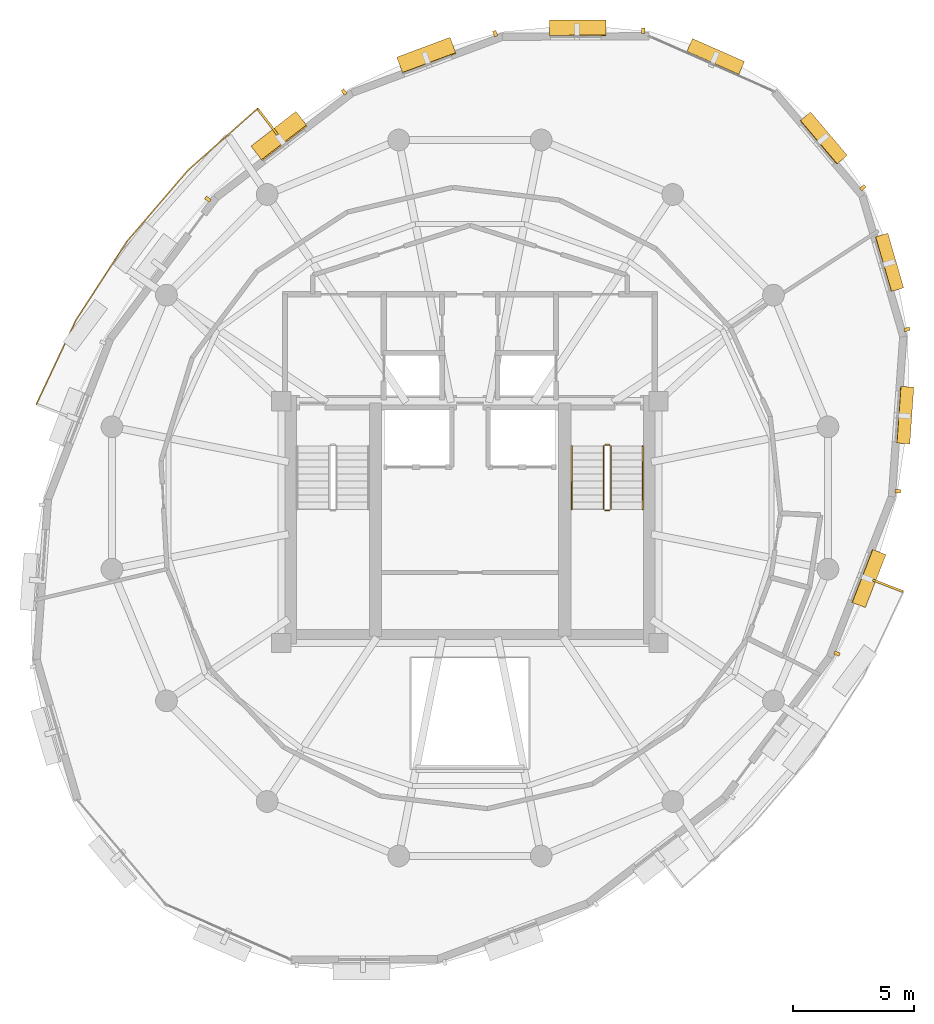
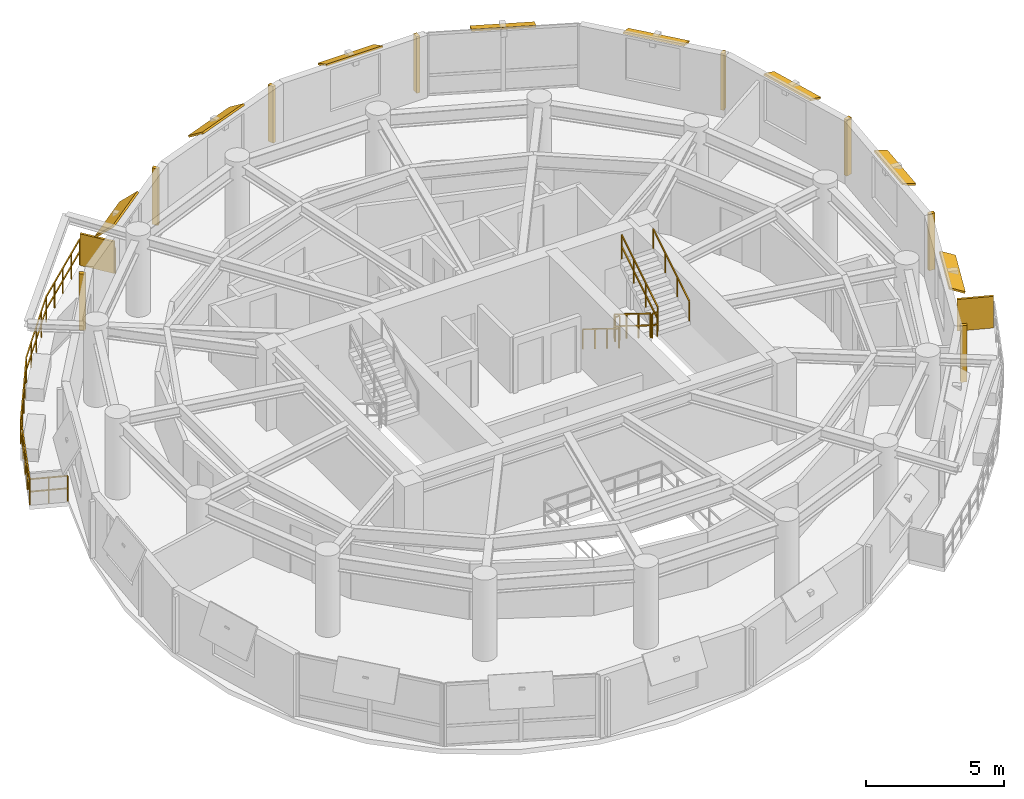
# One storey, part 11 of 11: 18 shading devices, 7 railings.
"""IFC4 building model written with IfcOpenShell, lengths in metres."""

import ifcopenshell
import ifcopenshell.guid

model = None  # the IFC model being written
_history = None  # IfcOwnerHistory: only IFC2X3 demands one
_inside = {}  # id of a spatial element -> (the spatial element, [elements in it])
_under = {}  # id of a project, library or spatial element -> (it, [spatial elements below it])
_declared = {}  # id of a project -> (the project, [libraries it declares])
_typed = {}  # id of a type object -> (the type object, [elements of that type])
_made_of = {}  # id of a material, layer set ... -> (it, [elements and type objects made of it])


def new_model(schema):
    """Start an empty IFC model of exactly this schema.

    Asked for "IFC4X3", IfcOpenShell would pick the latest addendum, in which some entities
    have other attributes; the version numbers below select the first issue.
    IFC2X3 requires an IfcOwnerHistory on every rooted entity: one is made here for all.
    """
    global model, _history
    if schema == "IFC4X3":
        model = ifcopenshell.file(schema_version=(4, 3, 0, 0))
    else:
        model = ifcopenshell.file(schema=schema)
    _inside.clear()
    _under.clear()
    _declared.clear()
    _typed.clear()
    _made_of.clear()
    _history = None
    if model.schema == "IFC2X3":
        org = make("IfcOrganization", Name="unknown")
        user = make(
            "IfcPersonAndOrganization",
            ThePerson=make("IfcPerson", FamilyName="unknown"),
            TheOrganization=org,
        )
        app = make(
            "IfcApplication",
            ApplicationDeveloper=org,
            Version="unknown",
            ApplicationFullName="unknown",
            ApplicationIdentifier="unknown",
        )
        _history = make(
            "IfcOwnerHistory",
            OwningUser=user,
            OwningApplication=app,
            ChangeAction="ADDED",
            CreationDate=0,
        )
    return model


def make(cls, **values):
    """One entity of the class cls with the attributes given. An attribute that is None is left unset."""
    return model.create_entity(
        cls, **{name: value for name, value in values.items() if value is not None}
    )


def rooted(cls, **values):
    """An entity with a GlobalId (a new one), such as an element, a storey or a relation."""
    return make(cls, GlobalId=ifcopenshell.guid.new(), OwnerHistory=_history, **values)


def si_unit(unit_type, name, prefix=None):
    """IfcSIUnit, for example si_unit("LENGTHUNIT", "METRE", prefix="MILLI")."""
    return make("IfcSIUnit", UnitType=unit_type, Prefix=prefix, Name=name)


def assignment(units):
    """IfcUnitAssignment: the units of a project."""
    return None if units is None else make("IfcUnitAssignment", Units=units)


def point(xyz):
    """IfcCartesianPoint."""
    return None if xyz is None else make("IfcCartesianPoint", Coordinates=xyz)


def direction(xyz):
    """IfcDirection."""
    return None if xyz is None else make("IfcDirection", DirectionRatios=xyz)


def frame(location, z_axis=None, x_axis=None):
    """IfcAxis2Placement3D, a coordinate frame: its origin and axes. An axis left out is left unset."""
    return make(
        "IfcAxis2Placement3D",
        Location=point(location),
        Axis=direction(z_axis),
        RefDirection=direction(x_axis),
    )


def frame_2d(location, x_axis=None):
    """IfcAxis2Placement2D, a coordinate frame in the plane: its origin and x axis."""
    return make(
        "IfcAxis2Placement2D", Location=point(location), RefDirection=direction(x_axis)
    )


def origin():
    """The frame at (0, 0, 0) with its axes left unset."""
    return frame((0.0, 0.0, 0.0))


def origin_2d():
    """The frame at (0, 0) in the plane with its x axis left unset."""
    return frame_2d((0.0, 0.0))


def place(relative_to, where):
    """IfcLocalPlacement: puts the frame where relative to a parent placement (None: the world)."""
    return make(
        "IfcLocalPlacement", PlacementRelTo=relative_to, RelativePlacement=where
    )


def context(
    kind, dimensions, precision=None, world=None, true_north=None, identifier=None
):
    """IfcGeometricRepresentationContext, for example the 3D "Model" context."""
    return make(
        "IfcGeometricRepresentationContext",
        ContextIdentifier=identifier,
        ContextType=kind,
        CoordinateSpaceDimension=dimensions,
        Precision=precision,
        WorldCoordinateSystem=world,
        TrueNorth=true_north,
    )


def subcontext(parent, identifier, kind, view, scale=None):
    """IfcGeometricRepresentationSubContext, for example "Body" below "Model"."""
    return make(
        "IfcGeometricRepresentationSubContext",
        ContextIdentifier=identifier,
        ContextType=kind,
        ParentContext=parent,
        TargetScale=scale,
        TargetView=view,
    )


def project(units=None, contexts=None):
    """IfcProject with its units and contexts."""
    return rooted(
        "IfcProject",
        Name="project",
        RepresentationContexts=contexts,
        UnitsInContext=assignment(units),
    )


def spatial(cls, under=None, at=None, **own):
    """A site, building, storey or space (cls), placed at a placement, below another one or the project."""
    s = rooted(cls, ObjectPlacement=at, **own)
    if under is not None:
        _under.setdefault(under.id(), (under, []))[1].append(s)
    return s


def profile(cls, at=None, kind="AREA", **sizes):
    """A parametric profile (cls). Its sizes go by their IFC names, for example OverallWidth=200.0."""
    return make(cls, ProfileType=kind, Position=at, **sizes)


def rectangle(**sizes):
    """IfcRectangleProfileDef."""
    return profile("IfcRectangleProfileDef", **sizes)


def extrude(swept, where, along, depth):
    """IfcExtrudedAreaSolid: the profile swept, set in the frame where, extruded along a direction by depth."""
    return make(
        "IfcExtrudedAreaSolid",
        SweptArea=swept,
        Position=where,
        ExtrudedDirection=direction(along),
        Depth=depth,
    )


def shape(context_of_items, identifier, shape_type, items):
    """IfcShapeRepresentation: the items that make up one representation, for example the "Body"."""
    return make(
        "IfcShapeRepresentation",
        ContextOfItems=context_of_items,
        RepresentationIdentifier=identifier,
        RepresentationType=shape_type,
        Items=items,
    )


def material(Name=None, Category=None):
    """IfcMaterial."""
    return make("IfcMaterial", Name=Name, Category=Category)


def layer(
    of_material, thickness, ventilated=None, Name=None, Category=None, Priority=None
):
    """IfcMaterialLayer: one layer of a wall or slab, of a material (None: an air gap)."""
    return make(
        "IfcMaterialLayer",
        Material=of_material,
        LayerThickness=thickness,
        IsVentilated=ventilated,
        Name=Name,
        Category=Category,
        Priority=Priority,
    )


def layer_set(layers, Name=None):
    """IfcMaterialLayerSet."""
    return make("IfcMaterialLayerSet", MaterialLayers=layers, LayerSetName=Name)


def made_of(thing, what):
    """Note that an element or type object is made of a material, layer set ...; save() writes the relation."""
    if what is not None:
        _made_of.setdefault(what.id(), (what, []))[1].append(thing)
    return thing


def type_object(cls, material=None, **own):
    """A type object (cls), such as IfcWallType, which elements share."""
    return made_of(rooted(cls, **own), material)


def element(
    cls,
    number,
    at=None,
    inside=None,
    cuts=None,
    type_object=None,
    material=None,
    context=None,
    identifier="Body",
    shape_type=None,
    held_by="IfcProductDefinitionShape",
    body=None,
    shapes=None,
    **own,
):
    """One element of the class cls, such as IfcWall. Its Tag is "e" and its number.

    at: its placement. inside: the storey or other place that contains it. cuts: it is an
    opening in that element (IfcRelVoidsElement). A single representation is given by context,
    identifier, shape_type and body (its items); several are given by shapes. held_by: the class
    of the entity that holds the representations. save() writes the other relations.
    """
    e = rooted(cls, Tag="e%d" % number, ObjectPlacement=at, **own)
    if body is not None:
        shapes = [shape(context, identifier, shape_type, body)]
    if shapes is not None:
        e.Representation = make(held_by, Representations=shapes)
    if inside is not None:
        _inside.setdefault(inside.id(), (inside, []))[1].append(e)
    if cuts is not None:
        rooted(
            "IfcRelVoidsElement", RelatingBuildingElement=cuts, RelatedOpeningElement=e
        )
    if type_object is not None:
        _typed.setdefault(type_object.id(), (type_object, []))[1].append(e)
    return made_of(e, material)


def aggregate(whole, parts):
    """IfcRelAggregates: a whole, such as a stair, and the parts it consists of."""
    return rooted("IfcRelAggregates", RelatingObject=whole, RelatedObjects=parts)


def save(model, path):
    """Write the relations noted so far, then the file.

    IfcRelAggregates (storeys below a building ...), IfcRelContainedInSpatialStructure (elements
    in a storey), IfcRelDefinesByType, IfcRelAssociatesMaterial and IfcRelDeclares: one each for
    every whole, place, type object, material and project.
    """
    for whole, parts in _under.values():
        aggregate(whole, parts)
    for where, things in _inside.values():
        rooted(
            "IfcRelContainedInSpatialStructure",
            RelatedElements=things,
            RelatingStructure=where,
        )
    for kind, things in _typed.values():
        rooted("IfcRelDefinesByType", RelatedObjects=things, RelatingType=kind)
    for what, things in _made_of.values():
        rooted("IfcRelAssociatesMaterial", RelatedObjects=things, RelatingMaterial=what)
    for by, libraries in _declared.values():
        rooted("IfcRelDeclares", RelatingContext=by, RelatedDefinitions=libraries)
    model.write(path)


model = new_model("IFC4")

# Units and contexts
model_context = context("Model", 3, precision=1e-05, world=origin(), true_north=direction((0.0, 1.0)))
body_context = subcontext(model_context, "Body", "Model", "MODEL_VIEW")
ifc_project = project(units=[si_unit("LENGTHUNIT", "METRE"), si_unit("AREAUNIT", "SQUARE_METRE"), si_unit("VOLUMEUNIT", "CUBIC_METRE"), si_unit("PLANEANGLEUNIT", "RADIAN"), si_unit("MASSUNIT", "GRAM", prefix="KILO"), si_unit("THERMODYNAMICTEMPERATUREUNIT", "KELVIN"), si_unit("POWERUNIT", "WATT")], contexts=[model_context])

# Site, building, storey
site_placement = place(None, origin())
site = spatial("IfcSite", under=ifc_project, at=site_placement, CompositionType="ELEMENT")
building_placement = place(site_placement, origin())
building = spatial("IfcBuilding", under=site, at=building_placement, Name="Ocrelia Relay Tower", CompositionType="ELEMENT")
storey_placement = place(building_placement, frame((0.0, 0.0, 252.0)))
storey = spatial("IfcBuildingStorey", under=building, at=storey_placement, Name="L62", CompositionType="ELEMENT", Elevation=252.0)

# Railings
ifc_material_1 = material(Name="Steel S355 balustrade", Category="steel")
railing_type_1 = type_object("IfcRailingType", Name="RL-EXT-GUARD-1150", PredefinedType="GUARDRAIL", material=ifc_material_1)
railing_1_placement = place(storey_placement, frame((17.36376953125, 29.380126953125, 0.0)))
element("IfcRailing", 1, at=railing_1_placement, inside=storey, type_object=railing_type_1, Name="L62 Loggia Balcony Guard Rail B1", PredefinedType="GUARDRAIL", context=body_context, shape_type="SweptSolid", body=[
    extrude(rectangle(XDim=0.048095703125, YDim=0.048095703125, at=origin_2d()), frame((0.0, 0.0, 1.1259765625), z_axis=(-0.932857026467, 0.36024681563, 0.0), x_axis=(-0.36024681563, -0.932857026467, 0.0)), (0.0, 0.0, 1.0), 1.393310546875),
    extrude(rectangle(XDim=0.048095703125, YDim=0.048095703125, at=origin_2d()), frame((0.0, 0.0, 0.574951171875), z_axis=(-0.932857026467, 0.36024681563, 0.0), x_axis=(-0.36024681563, -0.932857026467, 0.0)), (0.0, 0.0, 1.0), 1.393310546875),
    extrude(rectangle(XDim=0.048095703125, YDim=0.048095703125, at=origin_2d()), frame((-1.2998046875, 0.501953125, 1.1259765625), z_axis=(0.425062311451, 0.905164090861, 0.0), x_axis=(-0.905164090861, 0.425062311451, 0.0)), (0.0, 0.0, 1.0), 1.920654296875),
    extrude(rectangle(XDim=0.048095703125, YDim=0.048095703125, at=origin_2d()), frame((-1.2998046875, 0.501953125, 0.574951171875), z_axis=(0.425062311451, 0.905164090861, 0.0), x_axis=(-0.905164090861, 0.425062311451, 0.0)), (0.0, 0.0, 1.0), 1.920654296875),
    extrude(rectangle(XDim=0.048095703125, YDim=0.048095703125, at=origin_2d()), frame((-0.4833984375, 2.240478515625, 1.1259765625), z_axis=(0.425166448619, 0.905115181051, 0.0), x_axis=(-0.905115181051, 0.425166448619, 0.0)), (0.0, 0.0, 1.0), 1.9208984375),
    extrude(rectangle(XDim=0.048095703125, YDim=0.048095703125, at=origin_2d()), frame((-0.4833984375, 2.240478515625, 0.574951171875), z_axis=(0.425166448619, 0.905115181051, 0.0), x_axis=(-0.905115181051, 0.425166448619, 0.0)), (0.0, 0.0, 1.0), 1.9208984375),
    extrude(rectangle(XDim=0.048095703125, YDim=0.048095703125, at=origin_2d()), frame((0.333251953125, 3.97900390625, 1.1259765625), z_axis=(0.543929077766, 0.83913119258, 0.0), x_axis=(-0.83913119258, 0.543929077766, 0.0)), (0.0, 0.0, 1.0), 3.882080078125),
    extrude(rectangle(XDim=0.048095703125, YDim=0.048095703125, at=origin_2d()), frame((0.333251953125, 3.97900390625, 0.574951171875), z_axis=(0.543929077766, 0.83913119258, 0.0), x_axis=(-0.83913119258, 0.543929077766, 0.0)), (0.0, 0.0, 1.0), 3.882080078125),
    extrude(rectangle(XDim=0.048095703125, YDim=0.048095703125, at=origin_2d()), frame((2.44482421875, 7.236572265625, 1.1259765625), z_axis=(0.651386810566, 0.758745822407, 0.0), x_axis=(-0.758745822407, 0.651386810566, 0.0)), (0.0, 0.0, 1.0), 3.8818359375),
    extrude(rectangle(XDim=0.048095703125, YDim=0.048095703125, at=origin_2d()), frame((2.44482421875, 7.236572265625, 0.574951171875), z_axis=(0.651386810566, 0.758745822407, 0.0), x_axis=(-0.758745822407, 0.651386810566, 0.0)), (0.0, 0.0, 1.0), 3.8818359375),
    extrude(rectangle(XDim=0.048095703125, YDim=0.048095703125, at=origin_2d()), frame((4.973388671875, 10.181884765625, 1.1259765625), z_axis=(0.748285275523, 0.663377077111, 0.0), x_axis=(-0.663377077111, 0.748285275523, 0.0)), (0.0, 0.0, 1.0), 1.920654296875),
    extrude(rectangle(XDim=0.048095703125, YDim=0.048095703125, at=origin_2d()), frame((4.973388671875, 10.181884765625, 0.574951171875), z_axis=(0.748285275523, 0.663377077111, 0.0), x_axis=(-0.663377077111, 0.748285275523, 0.0)), (0.0, 0.0, 1.0), 1.920654296875),
    extrude(rectangle(XDim=0.048095703125, YDim=0.048095703125, at=origin_2d()), frame((6.41064453125, 11.4560546875, 1.1259765625), z_axis=(0.748285275523, 0.663377077111, 0.0), x_axis=(-0.663377077111, 0.748285275523, 0.0)), (0.0, 0.0, 1.0), 1.920654296875),
    extrude(rectangle(XDim=0.048095703125, YDim=0.048095703125, at=origin_2d()), frame((6.41064453125, 11.4560546875, 0.574951171875), z_axis=(0.748285275523, 0.663377077111, 0.0), x_axis=(-0.663377077111, 0.748285275523, 0.0)), (0.0, 0.0, 1.0), 1.920654296875),
    extrude(rectangle(XDim=0.048095703125, YDim=0.048095703125, at=origin_2d()), frame((7.847900390625, 12.730224609375, 1.1259765625), z_axis=(0.609016215981, -0.793157770353, 0.0), x_axis=(0.793157770353, 0.609016215981, 0.0)), (0.0, 0.0, 1.0), 1.3935546875),
    extrude(rectangle(XDim=0.048095703125, YDim=0.048095703125, at=origin_2d()), frame((7.847900390625, 12.730224609375, 0.574951171875), z_axis=(0.609016215981, -0.793157770353, 0.0), x_axis=(0.793157770353, 0.609016215981, 0.0)), (0.0, 0.0, 1.0), 1.3935546875),
    extrude(rectangle(XDim=0.0419921875, YDim=0.0419921875, at=origin_2d()), origin(), (0.0, 0.0, 1.0), 1.101806640625),
    extrude(rectangle(XDim=0.0419921875, YDim=0.0419921875, at=origin_2d()), frame((-0.64990234375, 0.2509765625, 0.0)), (0.0, 0.0, 1.0), 1.101806640625),
    extrude(rectangle(XDim=0.0419921875, YDim=0.0419921875, at=origin_2d()), frame((-1.2998046875, 0.501953125, 0.0)), (0.0, 0.0, 1.0), 1.101806640625),
    extrude(rectangle(XDim=0.0419921875, YDim=0.0419921875, at=origin_2d()), frame((-0.8916015625, 1.37109375, 0.0)), (0.0, 0.0, 1.0), 1.101806640625),
    extrude(rectangle(XDim=0.0419921875, YDim=0.0419921875, at=origin_2d()), frame((-0.4833984375, 2.240478515625, 0.0)), (0.0, 0.0, 1.0), 1.101806640625),
    extrude(rectangle(XDim=0.0419921875, YDim=0.0419921875, at=origin_2d()), frame((-0.0751953125, 3.10986328125, 0.0)), (0.0, 0.0, 1.0), 1.101806640625),
    extrude(rectangle(XDim=0.0419921875, YDim=0.0419921875, at=origin_2d()), frame((0.333251953125, 3.97900390625, 0.0)), (0.0, 0.0, 1.0), 1.101806640625),
    extrude(rectangle(XDim=0.0419921875, YDim=0.0419921875, at=origin_2d()), frame((0.861083984375, 4.79345703125, 0.0)), (0.0, 0.0, 1.0), 1.101806640625),
    extrude(rectangle(XDim=0.0419921875, YDim=0.0419921875, at=origin_2d()), frame((1.38916015625, 5.60791015625, 0.0)), (0.0, 0.0, 1.0), 1.101806640625),
    extrude(rectangle(XDim=0.0419921875, YDim=0.0419921875, at=origin_2d()), frame((1.9169921875, 6.422119140625, 0.0)), (0.0, 0.0, 1.0), 1.101806640625),
    extrude(rectangle(XDim=0.0419921875, YDim=0.0419921875, at=origin_2d()), frame((2.44482421875, 7.236572265625, 0.0)), (0.0, 0.0, 1.0), 1.101806640625),
    extrude(rectangle(XDim=0.0419921875, YDim=0.0419921875, at=origin_2d()), frame((3.076904296875, 7.972900390625, 0.0)), (0.0, 0.0, 1.0), 1.101806640625),
    extrude(rectangle(XDim=0.0419921875, YDim=0.0419921875, at=origin_2d()), frame((3.708984375, 8.709228515625, 0.0)), (0.0, 0.0, 1.0), 1.101806640625),
    extrude(rectangle(XDim=0.0419921875, YDim=0.0419921875, at=origin_2d()), frame((4.34130859375, 9.445556640625, 0.0)), (0.0, 0.0, 1.0), 1.101806640625),
    extrude(rectangle(XDim=0.0419921875, YDim=0.0419921875, at=origin_2d()), frame((4.973388671875, 10.181884765625, 0.0)), (0.0, 0.0, 1.0), 1.101806640625),
    extrude(rectangle(XDim=0.0419921875, YDim=0.0419921875, at=origin_2d()), frame((5.69189453125, 10.81884765625, 0.0)), (0.0, 0.0, 1.0), 1.101806640625),
    extrude(rectangle(XDim=0.0419921875, YDim=0.0419921875, at=origin_2d()), frame((6.41064453125, 11.4560546875, 0.0)), (0.0, 0.0, 1.0), 1.101806640625),
    extrude(rectangle(XDim=0.0419921875, YDim=0.0419921875, at=origin_2d()), frame((7.12939453125, 12.09326171875, 0.0)), (0.0, 0.0, 1.0), 1.101806640625),
    extrude(rectangle(XDim=0.0419921875, YDim=0.0419921875, at=origin_2d()), frame((7.847900390625, 12.730224609375, 0.0)), (0.0, 0.0, 1.0), 1.101806640625),
    extrude(rectangle(XDim=0.0419921875, YDim=0.0419921875, at=origin_2d()), frame((8.272216796875, 12.177734375, 0.0)), (0.0, 0.0, 1.0), 1.101806640625),
    extrude(rectangle(XDim=0.0419921875, YDim=0.0419921875, at=origin_2d()), frame((8.696533203125, 11.625, 0.0)), (0.0, 0.0, 1.0), 1.101806640625),
])
railing_type_2 = type_object("IfcRailingType", Name="RL-STAIR-GUARD", PredefinedType="GUARDRAIL", material=ifc_material_1)
railing_2_placement = place(storey_placement, frame((39.530029296875, 28.14990234375, 0.179931640625)))
element("IfcRailing", 2, at=railing_2_placement, inside=storey, type_object=railing_type_2, Name="L62 ST2 stair guard 1", PredefinedType="GUARDRAIL", context=body_context, shape_type="SweptSolid", body=[
    extrude(rectangle(XDim=0.048095703125, YDim=0.048095703125, at=origin_2d()), frame((0.0, 0.0, 1.076171875), z_axis=(0.0, -0.849610693518, 0.52741034258), x_axis=(1.0, 0.0, 0.0)), (0.0, 0.0, 1.0), 3.07177734375),
    extrude(rectangle(XDim=0.048095703125, YDim=0.048095703125, at=origin_2d()), frame((0.0, 0.0, 0.550048828125), z_axis=(0.0, -0.849610693518, 0.52741034258), x_axis=(1.0, 0.0, 0.0)), (0.0, 0.0, 1.0), 3.07177734375),
    extrude(rectangle(XDim=0.0419921875, YDim=0.0419921875, at=origin_2d()), origin(), (0.0, 0.0, 1.0), 1.052001953125),
    extrude(rectangle(XDim=0.0419921875, YDim=0.0419921875, at=origin_2d()), frame((0.0, -0.869873046875, 0.5400390625)), (0.0, 0.0, 1.0), 1.052001953125),
    extrude(rectangle(XDim=0.0419921875, YDim=0.0419921875, at=origin_2d()), frame((0.0, -1.739990234375, 1.080078125)), (0.0, 0.0, 1.0), 1.052001953125),
    extrude(rectangle(XDim=0.0419921875, YDim=0.0419921875, at=origin_2d()), frame((0.0, -2.60986328125, 1.6201171875)), (0.0, 0.0, 1.0), 1.052001953125),
])
railing_3_placement = place(storey_placement, frame((39.580078125, 25.489990234375, 1.800048828125)))
element("IfcRailing", 3, at=railing_3_placement, inside=storey, type_object=railing_type_2, Name="L62 ST2 stair guard 2", PredefinedType="GUARDRAIL", context=body_context, shape_type="SweptSolid", body=[
    extrude(rectangle(XDim=0.048095703125, YDim=0.048095703125, at=origin_2d()), frame((0.0, 0.0, 1.076171875), z_axis=(1.0, 0.0, 0.0), x_axis=(0.0, 1.0, 0.0)), (0.0, 0.0, 1.0), 0.199951171875),
    extrude(rectangle(XDim=0.048095703125, YDim=0.048095703125, at=origin_2d()), frame((0.0, 0.0, 0.550048828125), z_axis=(1.0, 0.0, 0.0), x_axis=(0.0, 1.0, 0.0)), (0.0, 0.0, 1.0), 0.199951171875),
    extrude(rectangle(XDim=0.0419921875, YDim=0.0419921875, at=origin_2d()), origin(), (0.0, 0.0, 1.0), 1.052001953125),
    extrude(rectangle(XDim=0.0419921875, YDim=0.0419921875, at=origin_2d()), frame((0.199951171875, 0.0, 0.0)), (0.0, 0.0, 1.0), 1.052001953125),
])
railing_4_placement = place(storey_placement, frame((39.830078125, 25.5400390625, 1.97998046875)))
element("IfcRailing", 4, at=railing_4_placement, inside=storey, type_object=railing_type_2, Name="L62 ST2 stair guard 3", PredefinedType="GUARDRAIL", context=body_context, shape_type="SweptSolid", body=[
    extrude(rectangle(XDim=0.048095703125, YDim=0.048095703125, at=origin_2d()), frame((0.0, 0.0, 1.076171875), z_axis=(0.0, 0.849610693518, 0.52741034258), x_axis=(-1.0, 0.0, 0.0)), (0.0, 0.0, 1.0), 3.07177734375),
    extrude(rectangle(XDim=0.048095703125, YDim=0.048095703125, at=origin_2d()), frame((0.0, 0.0, 0.550048828125), z_axis=(0.0, 0.849610693518, 0.52741034258), x_axis=(-1.0, 0.0, 0.0)), (0.0, 0.0, 1.0), 3.07177734375),
    extrude(rectangle(XDim=0.0419921875, YDim=0.0419921875, at=origin_2d()), origin(), (0.0, 0.0, 1.0), 1.052001953125),
    extrude(rectangle(XDim=0.0419921875, YDim=0.0419921875, at=origin_2d()), frame((0.0, 0.869873046875, 0.5400390625)), (0.0, 0.0, 1.0), 1.052001953125),
    extrude(rectangle(XDim=0.0419921875, YDim=0.0419921875, at=origin_2d()), frame((0.0, 1.739990234375, 1.080078125)), (0.0, 0.0, 1.0), 1.052001953125),
    extrude(rectangle(XDim=0.0419921875, YDim=0.0419921875, at=origin_2d()), frame((0.0, 2.60986328125, 1.6201171875)), (0.0, 0.0, 1.0), 1.052001953125),
])
railing_5_placement = place(storey_placement, frame((39.580078125, 28.199951171875, 0.0)))
element("IfcRailing", 5, at=railing_5_placement, inside=storey, type_object=railing_type_2, Name="L62 ST2 stair guard 4", PredefinedType="GUARDRAIL", context=body_context, shape_type="SweptSolid", body=[
    extrude(rectangle(XDim=0.048095703125, YDim=0.048095703125, at=origin_2d()), frame((0.0, 0.0, 1.076171875), z_axis=(1.0, 0.0, 0.0), x_axis=(0.0, 1.0, 0.0)), (0.0, 0.0, 1.0), 0.199951171875),
    extrude(rectangle(XDim=0.048095703125, YDim=0.048095703125, at=origin_2d()), frame((0.0, 0.0, 0.550048828125), z_axis=(1.0, 0.0, 0.0), x_axis=(0.0, 1.0, 0.0)), (0.0, 0.0, 1.0), 0.199951171875),
    extrude(rectangle(XDim=0.0419921875, YDim=0.0419921875, at=origin_2d()), origin(), (0.0, 0.0, 1.0), 1.052001953125),
    extrude(rectangle(XDim=0.0419921875, YDim=0.0419921875, at=origin_2d()), frame((0.199951171875, 0.0, 0.0)), (0.0, 0.0, 1.0), 1.052001953125),
])
ifc_material_2 = material(Name="Steel S355 tubular handrail", Category="steel")
railing_type_3 = type_object("IfcRailingType", Name="RL-STAIR-HAND", PredefinedType="HANDRAIL", material=ifc_material_2)
railing_6_placement = place(storey_placement, frame((38.2099609375, 28.14990234375, 0.179931640625)))
element("IfcRailing", 6, at=railing_6_placement, inside=storey, type_object=railing_type_3, Name="L62 ST2 stair handrail 1", PredefinedType="HANDRAIL", context=body_context, shape_type="SweptSolid", body=[
    extrude(rectangle(XDim=0.048095703125, YDim=0.048095703125, at=origin_2d()), frame((0.0, 0.0, 0.8759765625), z_axis=(0.0, -0.849610693518, 0.52741034258), x_axis=(1.0, 0.0, 0.0)), (0.0, 0.0, 1.0), 3.07177734375),
    extrude(rectangle(XDim=0.0419921875, YDim=0.0419921875, at=origin_2d()), origin(), (0.0, 0.0, 1.0), 0.851806640625),
    extrude(rectangle(XDim=0.0419921875, YDim=0.0419921875, at=origin_2d()), frame((0.0, -0.869873046875, 0.5400390625)), (0.0, 0.0, 1.0), 0.851806640625),
    extrude(rectangle(XDim=0.0419921875, YDim=0.0419921875, at=origin_2d()), frame((0.0, -1.739990234375, 1.080078125)), (0.0, 0.0, 1.0), 0.851806640625),
    extrude(rectangle(XDim=0.0419921875, YDim=0.0419921875, at=origin_2d()), frame((0.0, -2.60986328125, 1.6201171875)), (0.0, 0.0, 1.0), 0.851806640625),
])
railing_7_placement = place(storey_placement, frame((41.14990234375, 25.5400390625, 1.97998046875)))
element("IfcRailing", 7, at=railing_7_placement, inside=storey, type_object=railing_type_3, Name="L62 ST2 stair handrail 2", PredefinedType="HANDRAIL", context=body_context, shape_type="SweptSolid", body=[
    extrude(rectangle(XDim=0.048095703125, YDim=0.048095703125, at=origin_2d()), frame((0.0, 0.0, 0.8759765625), z_axis=(0.0, 0.849610693518, 0.52741034258), x_axis=(-1.0, 0.0, 0.0)), (0.0, 0.0, 1.0), 3.07177734375),
    extrude(rectangle(XDim=0.0419921875, YDim=0.0419921875, at=origin_2d()), origin(), (0.0, 0.0, 1.0), 0.851806640625),
    extrude(rectangle(XDim=0.0419921875, YDim=0.0419921875, at=origin_2d()), frame((0.0, 0.869873046875, 0.5400390625)), (0.0, 0.0, 1.0), 0.851806640625),
    extrude(rectangle(XDim=0.0419921875, YDim=0.0419921875, at=origin_2d()), frame((0.0, 1.739990234375, 1.080078125)), (0.0, 0.0, 1.0), 0.851806640625),
    extrude(rectangle(XDim=0.0419921875, YDim=0.0419921875, at=origin_2d()), frame((0.0, 2.60986328125, 1.6201171875)), (0.0, 0.0, 1.0), 0.851806640625),
])

# Shading devices
ifc_material_3 = material(Name="Perforated oxide terracotta solar screen", Category="masonry")
ifc_layer_1 = layer(ifc_material_3, 0.090087890625, Name="Perforated oxide terracotta solar screen")
ifc_layer_set_1 = layer_set([ifc_layer_1], Name="Perforated oxide terracotta solar screen")
shading_device_type_1 = type_object("IfcShadingDeviceType", Name="SH-BALC-SCREEN", PredefinedType="USERDEFINED", material=ifc_layer_set_1)
for number, where, z_axis, x_axis, name in (
    (8, (25.635986328125, 41.5576171875, 0.0), (0.0, 0.0, 1.0), (-0.609009932909, 0.793162594692, 0.0), "L62 Balcony Perforated Terracotta Screen B1-1"),
    (9, (51.2861328125, 22.368896484375, 0.0), (0.0, 0.0, 1.0), (0.932821162297, -0.360339671937, 0.0), "L62 Balcony Perforated Terracotta Screen B2-2"),
):
    element("IfcShadingDevice", number, at=place(storey_placement, frame(where, z_axis=z_axis, x_axis=x_axis)), inside=storey, type_object=shading_device_type_1, Name=name, ObjectType="SCREEN", PredefinedType="USERDEFINED", context=body_context, shape_type="SweptSolid", body=[
        extrude(rectangle(XDim=1.340087890625, YDim=0.090087890625, at=origin_2d()), origin(), (0.0, 0.0, 1.0), 1.39990234375),
    ])
ifc_material_4 = material(Name="Extruded oxide terracotta vertical baguette", Category="masonry")
shading_device_type_2 = type_object("IfcShadingDeviceType", Name="SH-TERR-BAGUETTE", PredefinedType="USERDEFINED", material=ifc_material_4)
for number, where, z_axis, x_axis, name in (
    (10, (41.1708984375, 45.3291015625, 0.1298828125), (0.0, 0.0, 1.0), (-0.999994931516, -0.003183856636, 0.0), "L62 Oxide Terracotta Vertical Baguette 02"),
    (11, (35.044677734375, 45.212158203125, 0.1298828125), (0.0, 0.0, 1.0), (-0.937003588923, -0.349319730826, 0.0), "L62 Oxide Terracotta Vertical Baguette 03"),
    (12, (28.794677734375, 42.795654296875, 0.1298828125), (0.0, 0.0, 1.0), (-0.792192230604, -0.610271636052, 0.0), "L62 Oxide Terracotta Vertical Baguette 04"),
    (13, (23.16064453125, 38.36328125, 0.1298828125), (0.0, 0.0, 1.0), (-0.599023302125, -0.800731592677, 0.0), "L62 Oxide Terracotta Vertical Baguette 05"),
    (14, (49.181396484375, 19.562744140625, 0.1298828125), (0.0, 0.0, 1.0), (0.361772688722, 0.932266336244, 0.0), "L62 Oxide Terracotta Vertical Baguette 15"),
    (15, (51.70068359375, 26.27880859375, 0.1298828125), (0.0, 0.0, 1.0), (0.070553826579, 0.99750797368, 0.0), "L62 Oxide Terracotta Vertical Baguette 16"),
    (16, (52.076904296875, 32.976806640625, 0.1298828125), (0.0, 0.0, 1.0), (-0.279289166146, 0.960207041046, 0.0), "L62 Oxide Terracotta Vertical Baguette 17"),
    (17, (50.25048828125, 38.83447265625, 0.1298828125), (0.0, 0.0, 1.0), (-0.646085828535, 0.763264765443, 0.0), "L62 Oxide Terracotta Vertical Baguette 18"),
):
    element("IfcShadingDevice", number, at=place(storey_placement, frame(where, z_axis=z_axis, x_axis=x_axis)), inside=storey, type_object=shading_device_type_2, Name=name, ObjectType="BAGUETTE", PredefinedType="USERDEFINED", context=body_context, shape_type="SweptSolid", body=[
        extrude(rectangle(XDim=0.139892578125, YDim=0.239990234375, at=origin_2d()), origin(), (0.0, 0.0, 1.0), 2.5),
    ])
ifc_material_5 = material(Name="Extruded oxide terracotta fin", Category="masonry")
ifc_layer_2 = layer(ifc_material_5, 0.080078125, Name="Extruded oxide terracotta fin")
ifc_layer_set_2 = layer_set([ifc_layer_2], Name="Extruded oxide terracotta fin")
shading_device_type_3 = type_object("IfcShadingDeviceType", Name="SH-VISOR-FIN-MED", PredefinedType="USERDEFINED", material=ifc_layer_set_2)
shading_device_1_placement = place(storey_placement, frame((32.207275390625, 44.2861328125, 2.56689453125), z_axis=(-0.195488721514, 0.524372422993, 0.828744666206), x_axis=(-0.937003588923, -0.349319730826, 0.0)))
element("IfcShadingDevice", 18, at=shading_device_1_placement, inside=storey, type_object=shading_device_type_3, Name="L62 Canted Terracotta Sun-Visor Fin 03", ObjectType="FIN", PredefinedType="USERDEFINED", context=body_context, shape_type="SweptSolid", body=[
    extrude(rectangle(XDim=2.35009765625, YDim=0.81689453125, at=origin_2d()), origin(), (0.0, 0.0, 1.0), 0.080078125),
])
shading_device_2_placement = place(storey_placement, frame((26.1220703125, 40.948974609375, 2.57080078125), z_axis=(-0.417526692236, 0.541990454937, 0.729326955506), x_axis=(-0.792192230604, -0.610271636052, 0.0)))
element("IfcShadingDevice", 19, at=shading_device_2_placement, inside=storey, type_object=shading_device_type_3, Name="L62 Canted Terracotta Sun-Visor Fin 04", ObjectType="FIN", PredefinedType="USERDEFINED", context=body_context, shape_type="SweptSolid", body=[
    extrude(rectangle(XDim=2.35009765625, YDim=0.969970703125, at=origin_2d()), origin(), (0.0, 0.0, 1.0), 0.080078125),
])
ifc_layer_3 = layer(ifc_material_5, 0.080078125, Name="Extruded oxide terracotta fin")
ifc_layer_set_3 = layer_set([ifc_layer_3], Name="Extruded oxide terracotta fin")
shading_device_type_4 = type_object("IfcShadingDeviceType", Name="SH-VISOR-FIN-SHAL", PredefinedType="USERDEFINED", material=ifc_layer_set_3)
shading_device_3_placement = place(storey_placement, frame((44.152587890625, 44.236328125, 2.563232421875), z_axis=(0.155109400147, 0.350897333661, 0.923478280858), x_axis=(-0.914627100885, 0.404298486673, 0.0)))
element("IfcShadingDevice", 20, at=shading_device_3_placement, inside=storey, type_object=shading_device_type_4, Name="L62 Canted Terracotta Sun-Visor Fin 01", ObjectType="FIN", PredefinedType="USERDEFINED", context=body_context, shape_type="SweptSolid", body=[
    extrude(rectangle(XDim=2.35009765625, YDim=0.6259765625, at=origin_2d()), origin(), (0.0, 0.0, 1.0), 0.080078125),
])
shading_device_4_placement = place(storey_placement, frame((38.460693359375, 45.419921875, 2.564453125), z_axis=(-0.001457804903, 0.45787159439, 0.889017141486), x_axis=(-0.999994931516, -0.003183856636, 0.0)))
element("IfcShadingDevice", 21, at=shading_device_4_placement, inside=storey, type_object=shading_device_type_4, Name="L62 Canted Terracotta Sun-Visor Fin 02", ObjectType="FIN", PredefinedType="USERDEFINED", context=body_context, shape_type="SweptSolid", body=[
    extrude(rectangle(XDim=2.35009765625, YDim=0.7041015625, at=origin_2d()), origin(), (0.0, 0.0, 1.0), 0.080078125),
])
shading_device_5_placement = place(storey_placement, frame((50.482177734375, 22.677978515625, 2.563232421875), z_axis=(0.359466975795, -0.139493757614, 0.92267273987), x_axis=(0.361772688722, 0.932266336244, 0.0)))
element("IfcShadingDevice", 22, at=shading_device_5_placement, inside=storey, type_object=shading_device_type_4, Name="L62 Canted Terracotta Sun-Visor Fin 15", ObjectType="FIN", PredefinedType="USERDEFINED", context=body_context, shape_type="SweptSolid", body=[
    extrude(rectangle(XDim=2.35009765625, YDim=0.6279296875, at=origin_2d()), origin(), (0.0, 0.0, 1.0), 0.080078125),
])
shading_device_6_placement = place(storey_placement, frame((51.987548828125, 29.42919921875, 2.562255859375), z_axis=(0.320473566185, -0.02266712348, 0.946986216842), x_axis=(0.070553826579, 0.99750797368, 0.0)))
element("IfcShadingDevice", 23, at=shading_device_6_placement, inside=storey, type_object=shading_device_type_4, Name="L62 Canted Terracotta Sun-Visor Fin 16", ObjectType="FIN", PredefinedType="USERDEFINED", context=body_context, shape_type="SweptSolid", body=[
    extrude(rectangle(XDim=2.35009765625, YDim=0.56201171875, at=origin_2d()), origin(), (0.0, 0.0, 1.0), 0.080078125),
])
shading_device_7_placement = place(storey_placement, frame((51.338623046875, 35.742919921875, 2.56201171875), z_axis=(0.297835769988, 0.086629549975, 0.950678271124), x_axis=(-0.279289166146, 0.960207041046, 0.0)))
element("IfcShadingDevice", 24, at=shading_device_7_placement, inside=storey, type_object=shading_device_type_4, Name="L62 Canted Terracotta Sun-Visor Fin 17", ObjectType="FIN", PredefinedType="USERDEFINED", context=body_context, shape_type="SweptSolid", body=[
    extrude(rectangle(XDim=2.35009765625, YDim=0.551025390625, at=origin_2d()), origin(), (0.0, 0.0, 1.0), 0.080078125),
])
shading_device_8_placement = place(storey_placement, frame((48.61962890625, 40.87939453125, 2.562255859375), z_axis=(0.255034146245, 0.215880458711, 0.94252491309), x_axis=(-0.646085828535, 0.763264765443, 0.0)))
element("IfcShadingDevice", 25, at=shading_device_8_placement, inside=storey, type_object=shading_device_type_4, Name="L62 Canted Terracotta Sun-Visor Fin 18", ObjectType="FIN", PredefinedType="USERDEFINED", context=body_context, shape_type="SweptSolid", body=[
    extrude(rectangle(XDim=2.35009765625, YDim=0.574951171875, at=origin_2d()), origin(), (0.0, 0.0, 1.0), 0.080078125),
])

save(model, "model.ifc")
